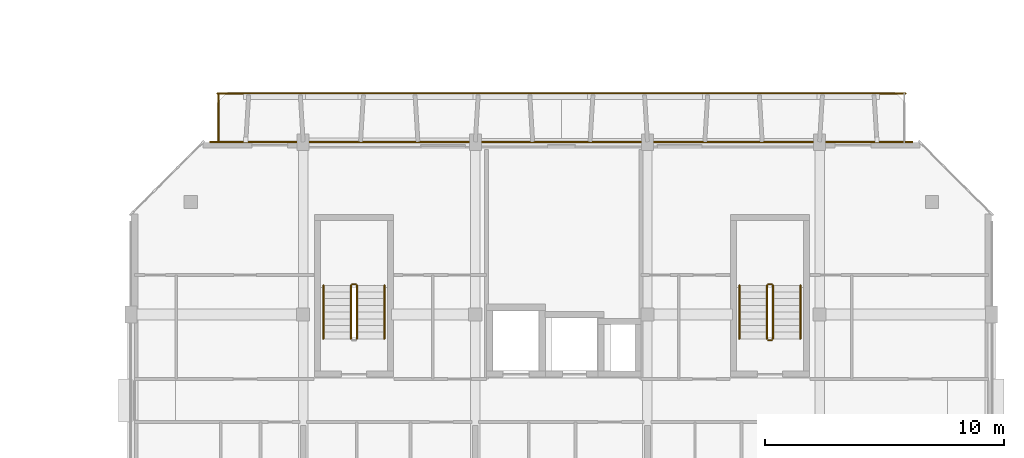
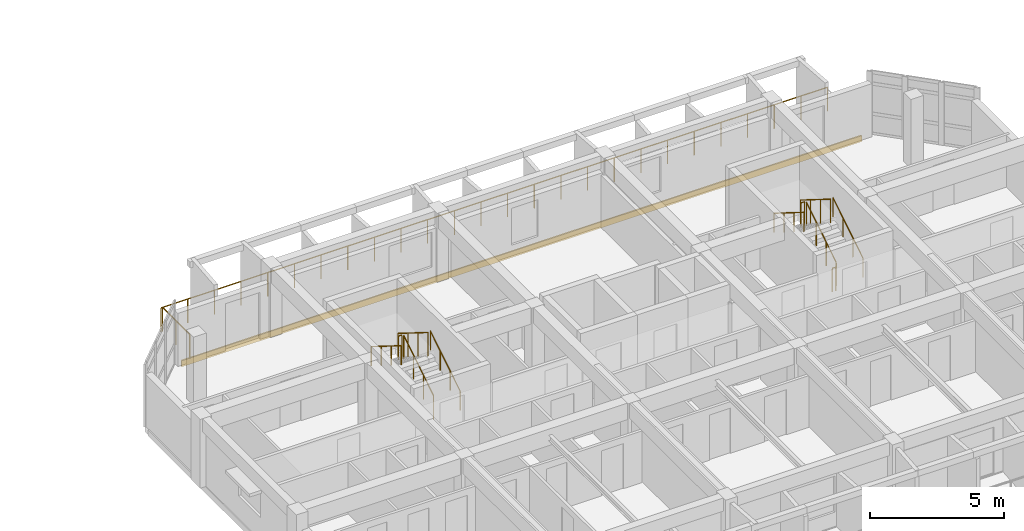
# One storey, part 61 of 64: 13 railings, 1 covering.
"""IFC4 building model written with IfcOpenShell, lengths in metres."""

from ifc_helpers import new_model, si_unit, direction, frame, origin, origin_2d, place, context, subcontext, project, spatial, rectangle, circle, extrude, material, layer, layer_set, type_object, element, save


model = new_model("IFC4")

# Units and contexts
model_context = context("Model", 3, precision=1e-05, world=origin(), true_north=direction((0.0, 1.0)))
body_context = subcontext(model_context, "Body", "Model", "MODEL_VIEW")
ifc_project = project(units=[si_unit("LENGTHUNIT", "METRE"), si_unit("AREAUNIT", "SQUARE_METRE"), si_unit("VOLUMEUNIT", "CUBIC_METRE"), si_unit("PLANEANGLEUNIT", "RADIAN"), si_unit("MASSUNIT", "GRAM", prefix="KILO")], contexts=[model_context])

# Site, building, storey
site_placement = place(None, origin())
site = spatial("IfcSite", under=ifc_project, at=site_placement, CompositionType="ELEMENT")
building_placement = place(site_placement, origin())
building = spatial("IfcBuilding", under=site, at=building_placement, Name="Ochrevale Crest", CompositionType="ELEMENT")
storey_placement = place(building_placement, frame((0.0, 0.0, 8.699951171875)))
storey = spatial("IfcBuildingStorey", under=building, at=storey_placement, Name="L02", CompositionType="ELEMENT", Elevation=8.699951171875)

# Covering
ifc_material_1 = material(Name="Glazed terracotta rainscreen tile", Category="masonry")
ifc_layer = layer(ifc_material_1, 0.048095703125)
ifc_layer_set = layer_set([ifc_layer], Name="Glazed terracotta rainscreen tile")
covering_type = type_object("IfcCoveringType", Name="COV-CLAD-TER", PredefinedType="CLADDING", material=ifc_layer_set)
covering_placement = place(storey_placement, frame((147.60009765625, 36.012451171875, -0.259765625), z_axis=(0.0, 0.0, 1.0), x_axis=(-1.0, 0.0, 0.0)))
element("IfcCovering", 1, at=covering_placement, inside=storey, type_object=covering_type, Name="Block C L02 terracotta slab-edge spandrel cladding", PredefinedType="CLADDING", context=body_context, shape_type="SweptSolid", body=[
    extrude(rectangle(XDim=29.39990234375, YDim=0.06005859375, at=origin_2d()), origin(), (0.0, 0.0, 1.0), 0.280029296875),
])

# Railings
ifc_material_2 = material(Name="Galvanised steel", Category="steel")
railing_type_1 = type_object("IfcRailingType", Name="RL-BAL-1100", PredefinedType="BALUSTRADE", material=ifc_material_2)
railing_1_placement = place(storey_placement, frame((133.199951171875, 38.0400390625, 0.0)))
element("IfcRailing", 2, at=railing_1_placement, inside=storey, type_object=railing_type_1, Name="Block C L02 N balcony front balustrade", PredefinedType="BALUSTRADE", context=body_context, shape_type="SweptSolid", body=[
    extrude(circle(Radius=0.02392578125, at=origin_2d()), frame((0.0, 0.0, 1.0859375), z_axis=(1.0, 0.0, 0.0), x_axis=(0.0, 1.0, 0.0)), (0.0, 0.0, 1.0), 28.800048828125),
    extrude(circle(Radius=0.02099609375, at=origin_2d()), origin(), (0.0, 0.0, 1.0), 1.06201171875),
    extrude(circle(Radius=0.02099609375, at=origin_2d()), frame((1.152099609375, 0.0, 0.0)), (0.0, 0.0, 1.0), 1.06201171875),
    extrude(circle(Radius=0.02099609375, at=origin_2d()), frame((2.303955078125, 0.0, 0.0)), (0.0, 0.0, 1.0), 1.06201171875),
    extrude(circle(Radius=0.02099609375, at=origin_2d()), frame((3.4560546875, 0.0, 0.0)), (0.0, 0.0, 1.0), 1.06201171875),
    extrude(circle(Radius=0.02099609375, at=origin_2d()), frame((4.60791015625, 0.0, 0.0)), (0.0, 0.0, 1.0), 1.06201171875),
    extrude(circle(Radius=0.02099609375, at=origin_2d()), frame((5.760009765625, 0.0, 0.0)), (0.0, 0.0, 1.0), 1.06201171875),
    extrude(circle(Radius=0.02099609375, at=origin_2d()), frame((6.912109375, 0.0, 0.0)), (0.0, 0.0, 1.0), 1.06201171875),
    extrude(circle(Radius=0.02099609375, at=origin_2d()), frame((8.06396484375, 0.0, 0.0)), (0.0, 0.0, 1.0), 1.06201171875),
    extrude(circle(Radius=0.02099609375, at=origin_2d()), frame((9.216064453125, 0.0, 0.0)), (0.0, 0.0, 1.0), 1.06201171875),
    extrude(circle(Radius=0.02099609375, at=origin_2d()), frame((10.367919921875, 0.0, 0.0)), (0.0, 0.0, 1.0), 1.06201171875),
    extrude(circle(Radius=0.02099609375, at=origin_2d()), frame((11.52001953125, 0.0, 0.0)), (0.0, 0.0, 1.0), 1.06201171875),
    extrude(circle(Radius=0.02099609375, at=origin_2d()), frame((12.672119140625, 0.0, 0.0)), (0.0, 0.0, 1.0), 1.06201171875),
    extrude(circle(Radius=0.02099609375, at=origin_2d()), frame((13.823974609375, 0.0, 0.0)), (0.0, 0.0, 1.0), 1.06201171875),
    extrude(circle(Radius=0.02099609375, at=origin_2d()), frame((14.97607421875, 0.0, 0.0)), (0.0, 0.0, 1.0), 1.06201171875),
    extrude(circle(Radius=0.02099609375, at=origin_2d()), frame((16.1279296875, 0.0, 0.0)), (0.0, 0.0, 1.0), 1.06201171875),
    extrude(circle(Radius=0.02099609375, at=origin_2d()), frame((17.280029296875, 0.0, 0.0)), (0.0, 0.0, 1.0), 1.06201171875),
    extrude(circle(Radius=0.02099609375, at=origin_2d()), frame((18.43212890625, 0.0, 0.0)), (0.0, 0.0, 1.0), 1.06201171875),
    extrude(circle(Radius=0.02099609375, at=origin_2d()), frame((19.583984375, 0.0, 0.0)), (0.0, 0.0, 1.0), 1.06201171875),
    extrude(circle(Radius=0.02099609375, at=origin_2d()), frame((20.736083984375, 0.0, 0.0)), (0.0, 0.0, 1.0), 1.06201171875),
    extrude(circle(Radius=0.02099609375, at=origin_2d()), frame((21.887939453125, 0.0, 0.0)), (0.0, 0.0, 1.0), 1.06201171875),
    extrude(circle(Radius=0.02099609375, at=origin_2d()), frame((23.0400390625, 0.0, 0.0)), (0.0, 0.0, 1.0), 1.06201171875),
    extrude(circle(Radius=0.02099609375, at=origin_2d()), frame((24.192138671875, 0.0, 0.0)), (0.0, 0.0, 1.0), 1.06201171875),
    extrude(circle(Radius=0.02099609375, at=origin_2d()), frame((25.343994140625, 0.0, 0.0)), (0.0, 0.0, 1.0), 1.06201171875),
    extrude(circle(Radius=0.02099609375, at=origin_2d()), frame((26.49609375, 0.0, 0.0)), (0.0, 0.0, 1.0), 1.06201171875),
    extrude(circle(Radius=0.02099609375, at=origin_2d()), frame((27.64794921875, 0.0, 0.0)), (0.0, 0.0, 1.0), 1.06201171875),
    extrude(circle(Radius=0.02099609375, at=origin_2d()), frame((28.800048828125, 0.0, 0.0)), (0.0, 0.0, 1.0), 1.06201171875),
])
railing_2_placement = place(storey_placement, frame((133.260009765625, 36.0, 0.0)))
element("IfcRailing", 3, at=railing_2_placement, inside=storey, type_object=railing_type_1, Name="Block C L02 N-W balcony side guard", PredefinedType="BALUSTRADE", context=body_context, shape_type="SweptSolid", body=[
    extrude(circle(Radius=0.02392578125, at=origin_2d()), frame((0.0, 0.0, 1.0859375), z_axis=(0.0, 1.0, 0.0), x_axis=(-1.0, 0.0, 0.0)), (0.0, 0.0, 1.0), 2.0400390625),
    extrude(circle(Radius=0.02099609375, at=origin_2d()), origin(), (0.0, 0.0, 1.0), 1.06201171875),
    extrude(circle(Radius=0.02099609375, at=origin_2d()), frame((0.0, 1.02001953125, 0.0)), (0.0, 0.0, 1.0), 1.06201171875),
    extrude(circle(Radius=0.02099609375, at=origin_2d()), frame((0.0, 2.0400390625, 0.0)), (0.0, 0.0, 1.0), 1.06201171875),
])
railing_type_2 = type_object("IfcRailingType", Name="RL-ST-GUARD", PredefinedType="BALUSTRADE", material=ifc_material_2)
railing_3_placement = place(storey_placement, frame((139.050048828125, 27.77490234375, 0.175048828125)))
element("IfcRailing", 4, at=railing_3_placement, inside=storey, type_object=railing_type_2, Name="L02 ST-C1 stair guard 1", PredefinedType="BALUSTRADE", context=body_context, shape_type="SweptSolid", body=[
    extrude(circle(Radius=0.02392578125, at=origin_2d()), frame((0.0, 0.0, 1.076171875), z_axis=(0.0, 0.848013881152, 0.529974015752), x_axis=(-1.0, 0.0, 0.0)), (0.0, 0.0, 1.0), 2.641357421875),
    extrude(circle(Radius=0.02099609375, at=origin_2d()), origin(), (0.0, 0.0, 1.0), 1.052001953125),
    extrude(circle(Radius=0.02099609375, at=origin_2d()), frame((0.0, 0.74658203125, 0.466552734375)), (0.0, 0.0, 1.0), 1.052001953125),
    extrude(circle(Radius=0.02099609375, at=origin_2d()), frame((0.0, 1.493408203125, 0.933349609375)), (0.0, 0.0, 1.0), 1.052001953125),
    extrude(circle(Radius=0.02099609375, at=origin_2d()), frame((0.0, 2.239990234375, 1.39990234375)), (0.0, 0.0, 1.0), 1.052001953125),
])
railing_4_placement = place(storey_placement, frame((139.0, 30.06494140625, 1.574951171875)))
element("IfcRailing", 5, at=railing_4_placement, inside=storey, type_object=railing_type_2, Name="L02 ST-C1 stair guard 2", PredefinedType="BALUSTRADE", context=body_context, shape_type="SweptSolid", body=[
    extrude(circle(Radius=0.02392578125, at=origin_2d()), frame((0.0, 0.0, 1.076171875), z_axis=(-1.0, 0.0, 0.0), x_axis=(0.0, -1.0, 0.0)), (0.0, 0.0, 1.0), 0.14990234375),
    extrude(circle(Radius=0.02099609375, at=origin_2d()), origin(), (0.0, 0.0, 1.0), 1.052001953125),
    extrude(circle(Radius=0.02099609375, at=origin_2d()), frame((-0.14990234375, 0.0, 0.0)), (0.0, 0.0, 1.0), 1.052001953125),
])
railing_5_placement = place(storey_placement, frame((138.800048828125, 30.014892578125, 1.75)))
element("IfcRailing", 6, at=railing_5_placement, inside=storey, type_object=railing_type_2, Name="L02 ST-C1 stair guard 3", PredefinedType="BALUSTRADE", context=body_context, shape_type="SweptSolid", body=[
    extrude(circle(Radius=0.02392578125, at=origin_2d()), frame((0.0, 0.0, 1.076171875), z_axis=(0.0, -0.847972341737, 0.530040477369), x_axis=(1.0, 0.0, 0.0)), (0.0, 0.0, 1.0), 2.6416015625),
    extrude(circle(Radius=0.02099609375, at=origin_2d()), origin(), (0.0, 0.0, 1.0), 1.052001953125),
    extrude(circle(Radius=0.02099609375, at=origin_2d()), frame((0.0, -0.74658203125, 0.466796875)), (0.0, 0.0, 1.0), 1.052001953125),
    extrude(circle(Radius=0.02099609375, at=origin_2d()), frame((0.0, -1.493408203125, 0.933349609375)), (0.0, 0.0, 1.0), 1.052001953125),
    extrude(circle(Radius=0.02099609375, at=origin_2d()), frame((0.0, -2.239990234375, 1.400146484375)), (0.0, 0.0, 1.0), 1.052001953125),
])
railing_6_placement = place(storey_placement, frame((156.449951171875, 27.77490234375, 0.175048828125)))
element("IfcRailing", 7, at=railing_6_placement, inside=storey, type_object=railing_type_2, Name="L02 ST-C2 stair guard 1", PredefinedType="BALUSTRADE", context=body_context, shape_type="SweptSolid", body=[
    extrude(circle(Radius=0.02392578125, at=origin_2d()), frame((0.0, 0.0, 1.076171875), z_axis=(0.0, 0.848013881152, 0.529974015752), x_axis=(-1.0, 0.0, 0.0)), (0.0, 0.0, 1.0), 2.641357421875),
    extrude(circle(Radius=0.02099609375, at=origin_2d()), origin(), (0.0, 0.0, 1.0), 1.052001953125),
    extrude(circle(Radius=0.02099609375, at=origin_2d()), frame((0.0, 0.74658203125, 0.466552734375)), (0.0, 0.0, 1.0), 1.052001953125),
    extrude(circle(Radius=0.02099609375, at=origin_2d()), frame((0.0, 1.493408203125, 0.933349609375)), (0.0, 0.0, 1.0), 1.052001953125),
    extrude(circle(Radius=0.02099609375, at=origin_2d()), frame((0.0, 2.239990234375, 1.39990234375)), (0.0, 0.0, 1.0), 1.052001953125),
])
railing_7_placement = place(storey_placement, frame((156.39990234375, 30.06494140625, 1.574951171875)))
element("IfcRailing", 8, at=railing_7_placement, inside=storey, type_object=railing_type_2, Name="L02 ST-C2 stair guard 2", PredefinedType="BALUSTRADE", context=body_context, shape_type="SweptSolid", body=[
    extrude(circle(Radius=0.02392578125, at=origin_2d()), frame((0.0, 0.0, 1.076171875), z_axis=(-1.0, 0.0, 0.0), x_axis=(0.0, -1.0, 0.0)), (0.0, 0.0, 1.0), 0.14990234375),
    extrude(circle(Radius=0.02099609375, at=origin_2d()), origin(), (0.0, 0.0, 1.0), 1.052001953125),
    extrude(circle(Radius=0.02099609375, at=origin_2d()), frame((-0.14990234375, 0.0, 0.0)), (0.0, 0.0, 1.0), 1.052001953125),
])
railing_8_placement = place(storey_placement, frame((156.199951171875, 30.014892578125, 1.75)))
element("IfcRailing", 9, at=railing_8_placement, inside=storey, type_object=railing_type_2, Name="L02 ST-C2 stair guard 3", PredefinedType="BALUSTRADE", context=body_context, shape_type="SweptSolid", body=[
    extrude(circle(Radius=0.02392578125, at=origin_2d()), frame((0.0, 0.0, 1.076171875), z_axis=(0.0, -0.847972341737, 0.530040477369), x_axis=(1.0, 0.0, 0.0)), (0.0, 0.0, 1.0), 2.6416015625),
    extrude(circle(Radius=0.02099609375, at=origin_2d()), origin(), (0.0, 0.0, 1.0), 1.052001953125),
    extrude(circle(Radius=0.02099609375, at=origin_2d()), frame((0.0, -0.74658203125, 0.466796875)), (0.0, 0.0, 1.0), 1.052001953125),
    extrude(circle(Radius=0.02099609375, at=origin_2d()), frame((0.0, -1.493408203125, 0.933349609375)), (0.0, 0.0, 1.0), 1.052001953125),
    extrude(circle(Radius=0.02099609375, at=origin_2d()), frame((0.0, -2.239990234375, 1.400146484375)), (0.0, 0.0, 1.0), 1.052001953125),
])
railing_9_placement = place(storey_placement, frame((156.39990234375, 27.72509765625, 0.0)))
element("IfcRailing", 10, at=railing_9_placement, inside=storey, type_object=railing_type_2, Name="L02 ST-C2 stair guard 4", PredefinedType="BALUSTRADE", context=body_context, shape_type="SweptSolid", body=[
    extrude(circle(Radius=0.02392578125, at=origin_2d()), frame((0.0, 0.0, 1.076171875), z_axis=(-1.0, 0.0, 0.0), x_axis=(0.0, -1.0, 0.0)), (0.0, 0.0, 1.0), 0.14990234375),
    extrude(circle(Radius=0.02099609375, at=origin_2d()), origin(), (0.0, 0.0, 1.0), 1.052001953125),
    extrude(circle(Radius=0.02099609375, at=origin_2d()), frame((-0.14990234375, 0.0, 0.0)), (0.0, 0.0, 1.0), 1.052001953125),
])
ifc_material_3 = material(Name="Stainless steel", Category="steel")
railing_type_3 = type_object("IfcRailingType", Name="RL-ST-HRAIL", PredefinedType="HANDRAIL", material=ifc_material_3)
railing_10_placement = place(storey_placement, frame((140.199951171875, 27.77490234375, 0.175048828125)))
element("IfcRailing", 11, at=railing_10_placement, inside=storey, type_object=railing_type_3, Name="L02 ST-C1 stair handrail 1", PredefinedType="HANDRAIL", context=body_context, shape_type="SweptSolid", body=[
    extrude(circle(Radius=0.02392578125, at=origin_2d()), frame((0.0, 0.0, 0.8759765625), z_axis=(0.0, 0.848013881152, 0.529974015752), x_axis=(-1.0, 0.0, 0.0)), (0.0, 0.0, 1.0), 2.641357421875),
    extrude(circle(Radius=0.02099609375, at=origin_2d()), origin(), (0.0, 0.0, 1.0), 0.851806640625),
    extrude(circle(Radius=0.02099609375, at=origin_2d()), frame((0.0, 0.74658203125, 0.466552734375)), (0.0, 0.0, 1.0), 0.851806640625),
    extrude(circle(Radius=0.02099609375, at=origin_2d()), frame((0.0, 1.493408203125, 0.933349609375)), (0.0, 0.0, 1.0), 0.851806640625),
    extrude(circle(Radius=0.02099609375, at=origin_2d()), frame((0.0, 2.239990234375, 1.39990234375)), (0.0, 0.0, 1.0), 0.851806640625),
])
railing_11_placement = place(storey_placement, frame((137.64990234375, 30.014892578125, 1.75)))
element("IfcRailing", 12, at=railing_11_placement, inside=storey, type_object=railing_type_3, Name="L02 ST-C1 stair handrail 2", PredefinedType="HANDRAIL", context=body_context, shape_type="SweptSolid", body=[
    extrude(circle(Radius=0.02392578125, at=origin_2d()), frame((0.0, 0.0, 0.8759765625), z_axis=(0.0, -0.847972341737, 0.530040477369), x_axis=(1.0, 0.0, 0.0)), (0.0, 0.0, 1.0), 2.6416015625),
    extrude(circle(Radius=0.02099609375, at=origin_2d()), origin(), (0.0, 0.0, 1.0), 0.851806640625),
    extrude(circle(Radius=0.02099609375, at=origin_2d()), frame((0.0, -0.74658203125, 0.466796875)), (0.0, 0.0, 1.0), 0.851806640625),
    extrude(circle(Radius=0.02099609375, at=origin_2d()), frame((0.0, -1.493408203125, 0.933349609375)), (0.0, 0.0, 1.0), 0.851806640625),
    extrude(circle(Radius=0.02099609375, at=origin_2d()), frame((0.0, -2.239990234375, 1.400146484375)), (0.0, 0.0, 1.0), 0.851806640625),
])
railing_12_placement = place(storey_placement, frame((157.60009765625, 27.77490234375, 0.175048828125)))
element("IfcRailing", 13, at=railing_12_placement, inside=storey, type_object=railing_type_3, Name="L02 ST-C2 stair handrail 1", PredefinedType="HANDRAIL", context=body_context, shape_type="SweptSolid", body=[
    extrude(circle(Radius=0.02392578125, at=origin_2d()), frame((0.0, 0.0, 0.8759765625), z_axis=(0.0, 0.848013881152, 0.529974015752), x_axis=(-1.0, 0.0, 0.0)), (0.0, 0.0, 1.0), 2.641357421875),
    extrude(circle(Radius=0.02099609375, at=origin_2d()), origin(), (0.0, 0.0, 1.0), 0.851806640625),
    extrude(circle(Radius=0.02099609375, at=origin_2d()), frame((0.0, 0.74658203125, 0.466552734375)), (0.0, 0.0, 1.0), 0.851806640625),
    extrude(circle(Radius=0.02099609375, at=origin_2d()), frame((0.0, 1.493408203125, 0.933349609375)), (0.0, 0.0, 1.0), 0.851806640625),
    extrude(circle(Radius=0.02099609375, at=origin_2d()), frame((0.0, 2.239990234375, 1.39990234375)), (0.0, 0.0, 1.0), 0.851806640625),
])
railing_13_placement = place(storey_placement, frame((155.050048828125, 30.014892578125, 1.75)))
element("IfcRailing", 14, at=railing_13_placement, inside=storey, type_object=railing_type_3, Name="L02 ST-C2 stair handrail 2", PredefinedType="HANDRAIL", context=body_context, shape_type="SweptSolid", body=[
    extrude(circle(Radius=0.02392578125, at=origin_2d()), frame((0.0, 0.0, 0.8759765625), z_axis=(0.0, -0.847972341737, 0.530040477369), x_axis=(1.0, 0.0, 0.0)), (0.0, 0.0, 1.0), 2.6416015625),
    extrude(circle(Radius=0.02099609375, at=origin_2d()), origin(), (0.0, 0.0, 1.0), 0.851806640625),
    extrude(circle(Radius=0.02099609375, at=origin_2d()), frame((0.0, -0.74658203125, 0.466796875)), (0.0, 0.0, 1.0), 0.851806640625),
    extrude(circle(Radius=0.02099609375, at=origin_2d()), frame((0.0, -1.493408203125, 0.933349609375)), (0.0, 0.0, 1.0), 0.851806640625),
    extrude(circle(Radius=0.02099609375, at=origin_2d()), frame((0.0, -2.239990234375, 1.400146484375)), (0.0, 0.0, 1.0), 0.851806640625),
])

save(model, "model.ifc")
